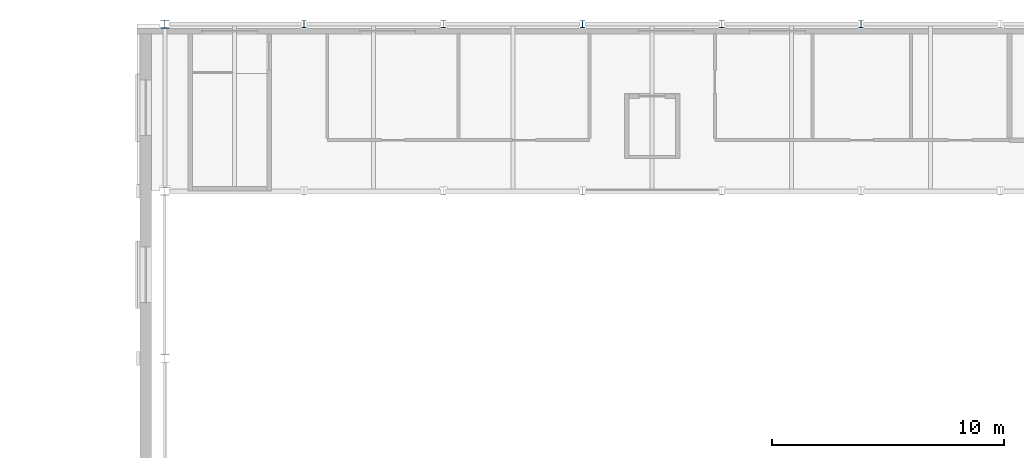
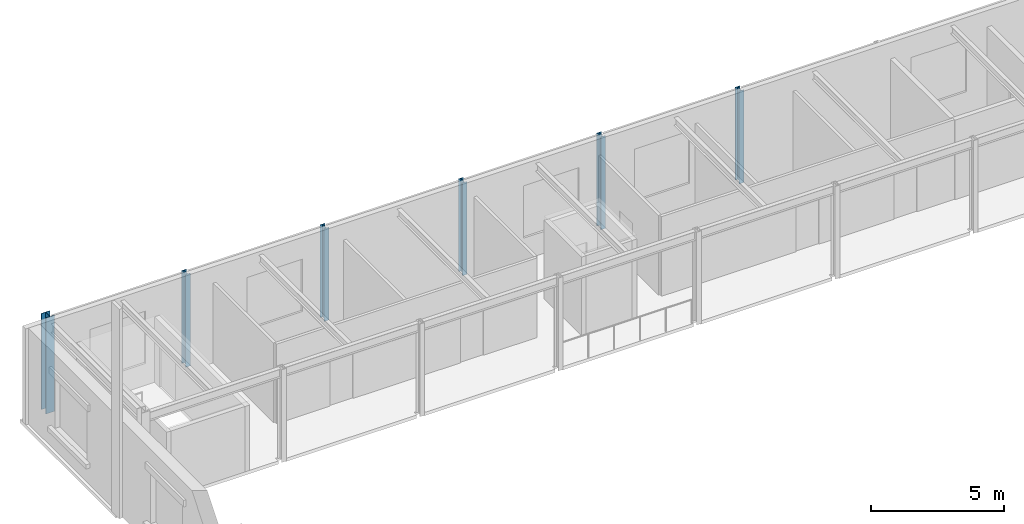
# One storey, part 9 of 169: 6 columns.
"""IFC4 building model written with IfcOpenShell, lengths in metres."""

from ifc_helpers import new_model, si_unit, direction, frame, origin, origin_2d, place, context, subcontext, project, spatial, i_section, extrude, material, material_profile, profile_set, type_object, element, save


model = new_model("IFC4")

# Units and contexts
model_context = context("Model", 3, precision=1e-05, world=origin(), true_north=direction((0.0, 1.0)))
body_context = subcontext(model_context, "Body", "Model", "MODEL_VIEW")
ifc_project = project(units=[si_unit("LENGTHUNIT", "METRE"), si_unit("AREAUNIT", "SQUARE_METRE"), si_unit("VOLUMEUNIT", "CUBIC_METRE"), si_unit("PLANEANGLEUNIT", "RADIAN"), si_unit("MASSUNIT", "GRAM", prefix="KILO")], contexts=[model_context])

# Site, building, storey
site_placement = place(None, origin())
site = spatial("IfcSite", under=ifc_project, at=site_placement, CompositionType="ELEMENT")
building_placement = place(site_placement, origin())
building = spatial("IfcBuilding", under=site, at=building_placement, Name="Verrick Yard Athletic Hall", CompositionType="ELEMENT")
storey_placement = place(building_placement, frame((0.0, 0.0, 4.39990234375)))
storey = spatial("IfcBuildingStorey", under=building, at=storey_placement, Name="L01", CompositionType="ELEMENT", Elevation=4.39990234375)

# Columns
ifc_material = material(Name="Structural steel 350W (CSA G40.21)", Category="steel")
ifc_material_profile_1 = material_profile(ifc_material, i_section(OverallWidth=0.205078125, OverallDepth=0.31005859375, WebThickness=0.009521484375, FlangeThickness=0.016357421875, at=origin_2d()), Name="W310x74")
ifc_profile_set_1 = profile_set([ifc_material_profile_1], Name="Structural steel 350W (CSA G40.21)")
column_type_1 = type_object("IfcColumnType", Name="HB column W310x74", PredefinedType="COLUMN", material=ifc_profile_set_1)
for number, where, z_axis, x_axis, name in (
    (1, (34.0, 108.0, 0.0), (0.0, 0.0, 1.0), (1.0, 0.0, 0.0), "HB-C-B-B1N-L01"),
    (2, (40.0, 108.0, 0.0), (0.0, 0.0, 1.0), (1.0, 0.0, 0.0), "HB-C-B-B2N-L01"),
    (3, (46.0, 108.0, 0.0), (0.0, 0.0, 1.0), (1.0, 0.0, 0.0), "HB-C-B-B3N-L01"),
    (4, (52.0, 108.0, 0.0), (0.0, 0.0, 1.0), (1.0, 0.0, 0.0), "HB-C-B-B4N-L01"),
    (5, (58.0, 108.0, 0.0), (0.0, 0.0, 1.0), (1.0, 0.0, 0.0), "HB-C-B-B5N-L01"),
):
    element("IfcColumn", number, at=place(storey_placement, frame(where, z_axis=z_axis, x_axis=x_axis)), inside=storey, type_object=column_type_1, Name=name, PredefinedType="COLUMN", context=body_context, shape_type="SweptSolid", body=[
        extrude(i_section(OverallWidth=0.205078125, OverallDepth=0.31005859375, WebThickness=0.009521484375, FlangeThickness=0.016357421875, at=origin_2d()), origin(), (0.0, 0.0, 1.0), 4.25),
    ])
ifc_material_profile_2 = material_profile(ifc_material, i_section(OverallWidth=0.368896484375, OverallDepth=0.35595703125, WebThickness=0.01123046875, FlangeThickness=0.01806640625, at=origin_2d()), Name="W360x134")
ifc_profile_set_2 = profile_set([ifc_material_profile_2], Name="Structural steel 350W (CSA G40.21)")
column_type_2 = type_object("IfcColumnType", Name="HB column W360x134", PredefinedType="COLUMN", material=ifc_profile_set_2)
column_placement = place(storey_placement, frame((28.0, 108.0, 0.0), z_axis=(0.0, 0.0, 1.0), x_axis=(1.0, 0.0, 0.0)))
element("IfcColumn", 6, at=column_placement, inside=storey, type_object=column_type_2, Name="HB-C-HBW6-L01", PredefinedType="COLUMN", context=body_context, shape_type="SweptSolid", body=[
    extrude(i_section(OverallWidth=0.368896484375, OverallDepth=0.35595703125, WebThickness=0.01123046875, FlangeThickness=0.01806640625, at=origin_2d()), origin(), (0.0, 0.0, 1.0), 4.400146484375),
])

save(model, "model.ifc")
